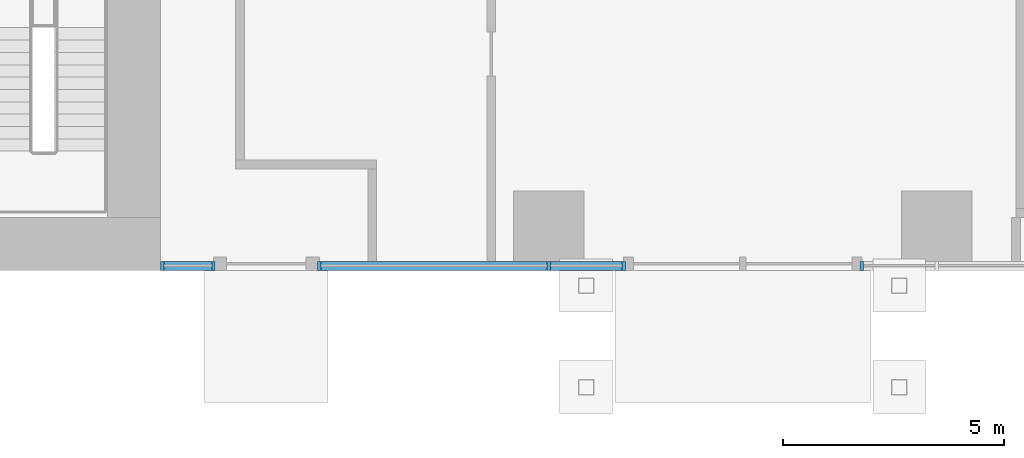
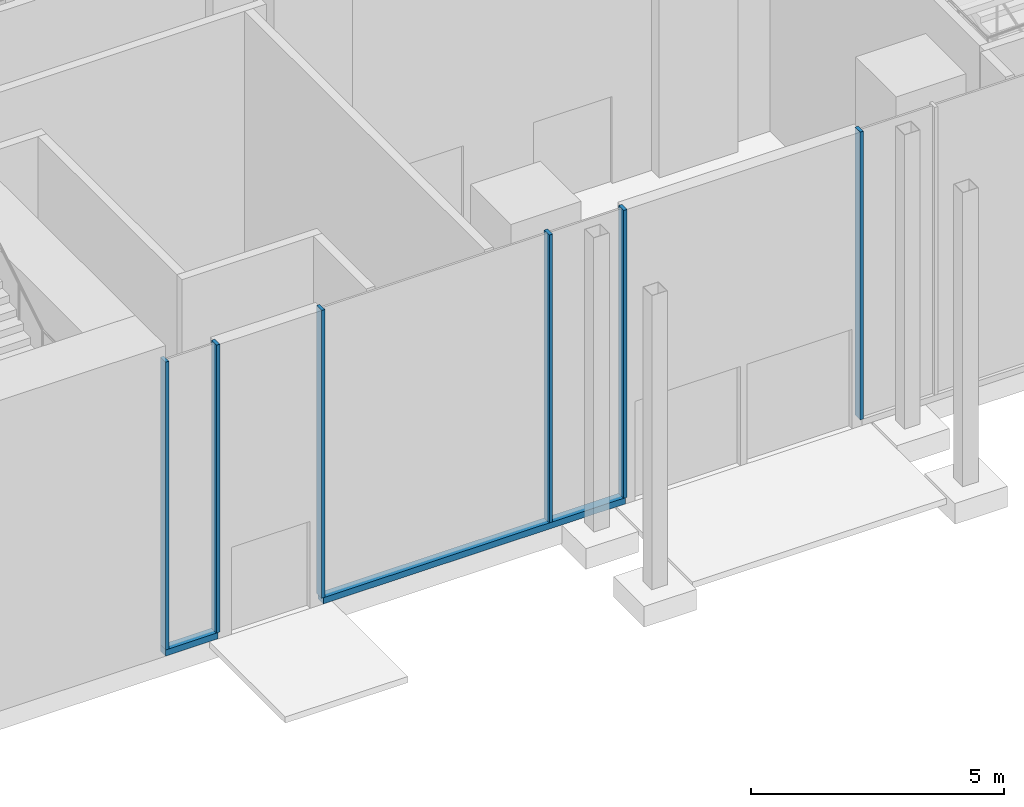
# One storey, part 9 of 41: 8 members, 3 elements without a shape of their own.
"""IFC4 building model written with IfcOpenShell, lengths in metres."""

from ifc_helpers import new_model, si_unit, direction, frame, origin, origin_2d, place, context, subcontext, project, spatial, rectangle, extrude, source, transform, mapped, material, material_profile, profile_set, type_object, element, aggregate, save


model = new_model("IFC4")

# Units and contexts
model_context = context("Model", 3, precision=1e-05, world=origin(), true_north=direction((0.0, 1.0)))
body_context = subcontext(model_context, "Body", "Model", "MODEL_VIEW")
ifc_project = project(units=[si_unit("LENGTHUNIT", "METRE"), si_unit("AREAUNIT", "SQUARE_METRE"), si_unit("VOLUMEUNIT", "CUBIC_METRE"), si_unit("PLANEANGLEUNIT", "RADIAN"), si_unit("MASSUNIT", "GRAM", prefix="KILO")], contexts=[model_context])

# Site, building, storey
site_placement = place(None, origin())
site = spatial("IfcSite", under=ifc_project, at=site_placement, CompositionType="ELEMENT")
building_placement = place(site_placement, origin())
building = spatial("IfcBuilding", under=site, at=building_placement, Name="Kemantara Hotel Tower", CompositionType="ELEMENT")
storey_placement = place(building_placement, origin())
storey = spatial("IfcBuildingStorey", under=building, at=storey_placement, Name="L00", CompositionType="ELEMENT", Elevation=0.0)

# Curtain wall, member
ifc_material_1 = material(Name="Laminated tinted insulated glass 44 mm", Category="glass")
curtain_wall_type = type_object("IfcCurtainWallType", Name="PODIUM GLASS CURTAIN WALL", PredefinedType="USERDEFINED", material=ifc_material_1)
curtain_wall_1_placement = place(storey_placement, origin())
curtain_wall_1 = element("IfcCurtainWall", 1, at=curtain_wall_1_placement, inside=storey, type_object=curtain_wall_type, Name="CW1 L00 POD-R01-3", ObjectType="PODIUM GLASS CURTAIN WALL", PredefinedType="USERDEFINED")
ifc_material_2 = material(Name="Aluminium 6063-T6 bronze anodised", Category="aluminium")
ifc_material_profile_1 = material_profile(ifc_material_2, rectangle(XDim=0.199951171875, YDim=0.14990234375, at=origin_2d()), Name="PODIUM GLASS CURTAIN WALL TRANSOM")
ifc_profile_set_1 = profile_set([ifc_material_profile_1], Name="Aluminium 6063-T6 bronze anodised")
member_type_1 = type_object("IfcMemberType", Name="PODIUM GLASS CURTAIN WALL TRANSOM", PredefinedType="USERDEFINED", material=ifc_profile_set_1)
member_1_placement = place(storey_placement, frame((45.0, 0.10009765625, 0.074951171875), z_axis=(1.0, 0.0, 0.0), x_axis=(0.0, 1.0, 0.0)))
member_1 = element("IfcMember", 2, at=member_1_placement, type_object=member_type_1, Name="CW1 sill transom POD-R01-3", ObjectType="TRANSOM", PredefinedType="USERDEFINED", context=body_context, shape_type="SweptSolid", body=[
    extrude(rectangle(XDim=0.199951171875, YDim=0.14990234375, at=origin_2d()), origin(), (0.0, 0.0, 1.0), 1.199951171875),
])

curtain_wall_2_placement = place(storey_placement, origin())
curtain_wall_2 = element("IfcCurtainWall", 3, at=curtain_wall_2_placement, inside=storey, type_object=curtain_wall_type, Name="CW1 L00 POD-R01-4", ObjectType="PODIUM GLASS CURTAIN WALL", PredefinedType="USERDEFINED")
member_2_placement = place(storey_placement, frame((48.60009765625, 0.10009765625, 0.074951171875), z_axis=(1.0, 0.0, 0.0), x_axis=(0.0, 1.0, 0.0)))
member_2 = element("IfcMember", 4, at=member_2_placement, type_object=member_type_1, Name="CW1 sill transom POD-R01-4", ObjectType="TRANSOM", PredefinedType="USERDEFINED", context=body_context, shape_type="SweptSolid", body=[
    extrude(rectangle(XDim=0.199951171875, YDim=0.14990234375, at=origin_2d()), origin(), (0.0, 0.0, 1.0), 6.89990234375),
])

# Member
ifc_material_profile_2 = material_profile(ifc_material_2, rectangle(XDim=0.199951171875, YDim=0.074951171875, at=origin_2d()), Name="PODIUM GLASS CURTAIN WALL MULLION")
ifc_profile_set_2 = profile_set([ifc_material_profile_2], Name="Aluminium 6063-T6 bronze anodised")
member_type_2 = type_object("IfcMemberType", Name="PODIUM GLASS CURTAIN WALL MULLION", PredefinedType="MULLION", material=ifc_profile_set_2)
shared_shape = source(origin(), body_context, "Body", "SweptSolid", [
    extrude(rectangle(XDim=0.199951171875, YDim=0.074951171875, at=origin_2d()), origin(), (0.0, 0.0, 1.0), 6.9501953125),
])
member_3_placement = place(storey_placement, frame((45.03759765625, 0.10009765625, 0.14990234375), z_axis=(0.0, 0.0, 1.0), x_axis=(0.0, 1.0, 0.0)))
member_3 = element("IfcMember", 5, at=member_3_placement, type_object=member_type_2, Name="CW1 mullion POD-R01-3.1", PredefinedType="MULLION", context=body_context, shape_type="MappedRepresentation", body=[
    mapped(shared_shape, transform((0.0, 0.0, 0.0))),
])

member_4_placement = place(storey_placement, frame((46.199951171875, 0.10009765625, 0.14990234375), z_axis=(0.0, 0.0, 1.0), x_axis=(0.0, 1.0, 0.0)))
member_4 = element("IfcMember", 6, at=member_4_placement, type_object=member_type_2, Name="CW1 mullion POD-R01-3.2", PredefinedType="MULLION", context=body_context, shape_type="MappedRepresentation", body=[
    mapped(shared_shape, transform((0.0, 0.0, 0.0))),
])

aggregate(curtain_wall_1, [member_1, member_3, member_4])

member_5_placement = place(storey_placement, frame((48.60009765625, 0.10009765625, 0.14990234375), z_axis=(0.0, 0.0, 1.0), x_axis=(0.0, 1.0, 0.0)))
member_5 = element("IfcMember", 7, at=member_5_placement, type_object=member_type_2, Name="CW1 mullion POD-R01-4.1", PredefinedType="MULLION", context=body_context, shape_type="MappedRepresentation", body=[
    mapped(shared_shape, transform((0.0, 0.0, 0.0))),
])

member_6_placement = place(storey_placement, frame((53.800048828125, 0.10009765625, 0.14990234375), z_axis=(0.0, 0.0, 1.0), x_axis=(0.0, 1.0, 0.0)))
member_6 = element("IfcMember", 8, at=member_6_placement, type_object=member_type_2, Name="CW1 mullion POD-R01-4.2", PredefinedType="MULLION", context=body_context, shape_type="MappedRepresentation", body=[
    mapped(shared_shape, transform((0.0, 0.0, 0.0))),
])

member_7_placement = place(storey_placement, frame((55.5, 0.10009765625, 0.14990234375), z_axis=(0.0, 0.0, 1.0), x_axis=(0.0, 1.0, 0.0)))
member_7 = element("IfcMember", 9, at=member_7_placement, type_object=member_type_2, Name="CW1 mullion POD-R01-4.3", PredefinedType="MULLION", context=body_context, shape_type="MappedRepresentation", body=[
    mapped(shared_shape, transform((0.0, 0.0, 0.0))),
])

aggregate(curtain_wall_2, [member_2, member_5, member_6, member_7])

# Curtain wall, member
curtain_wall_3_placement = place(storey_placement, origin())
curtain_wall_3 = element("IfcCurtainWall", 10, at=curtain_wall_3_placement, inside=storey, type_object=curtain_wall_type, Name="CW1 L00 POD-R01-5", ObjectType="PODIUM GLASS CURTAIN WALL", PredefinedType="USERDEFINED")
member_8_placement = place(storey_placement, frame((60.89990234375, 0.10009765625, 0.14990234375), z_axis=(0.0, 0.0, 1.0), x_axis=(0.0, 1.0, 0.0)))
member_8 = element("IfcMember", 11, at=member_8_placement, type_object=member_type_2, Name="CW1 mullion POD-R01-5.1", PredefinedType="MULLION", context=body_context, shape_type="MappedRepresentation", body=[
    mapped(shared_shape, transform((0.0, 0.0, 0.0))),
])
aggregate(curtain_wall_3, [member_8])

save(model, "model.ifc")
